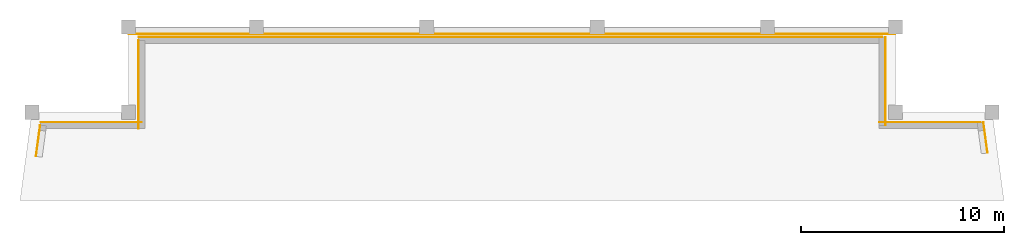
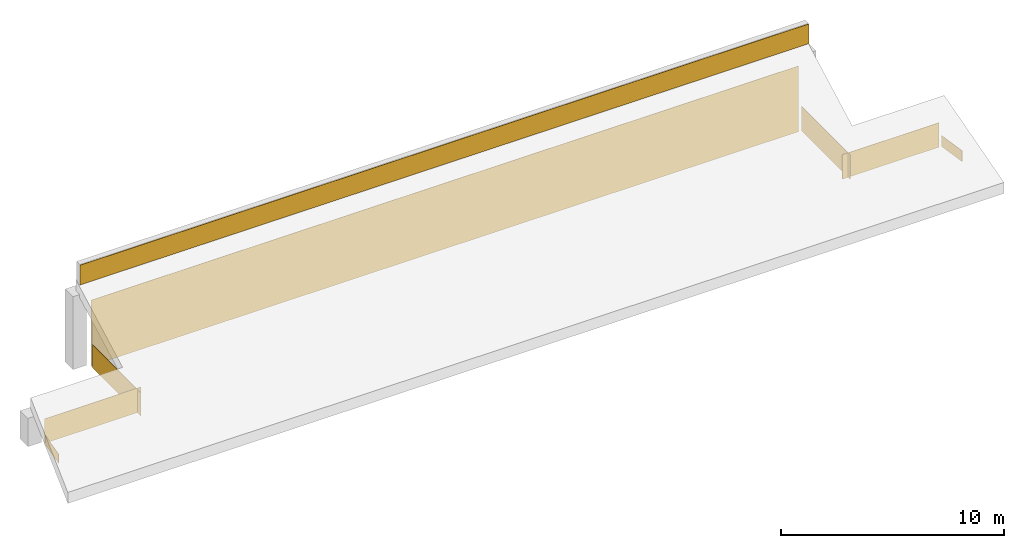
# One storey, part 2 of 2: 8 coverings.
"""IFC4 building model written with IfcOpenShell, lengths in metres."""

from ifc_helpers import new_model, si_unit, direction, frame, origin, origin_2d, place, context, subcontext, project, spatial, rectangle, extrude, material, layer, layer_set, type_object, element, save


model = new_model("IFC4")

# Units and contexts
model_context = context("Model", 3, precision=1e-05, world=origin(), true_north=direction((0.0, 1.0)))
body_context = subcontext(model_context, "Body", "Model", "MODEL_VIEW")
ifc_project = project(units=[si_unit("LENGTHUNIT", "METRE"), si_unit("AREAUNIT", "SQUARE_METRE"), si_unit("VOLUMEUNIT", "CUBIC_METRE"), si_unit("PLANEANGLEUNIT", "RADIAN"), si_unit("MASSUNIT", "GRAM", prefix="KILO")], contexts=[model_context])

# Site, building, storey
site_placement = place(None, origin())
site = spatial("IfcSite", under=ifc_project, at=site_placement, CompositionType="ELEMENT")
building_placement = place(site_placement, origin())
building = spatial("IfcBuilding", under=site, at=building_placement, Name="Candeia Pilgrim Tower and Theatre", CompositionType="ELEMENT")
storey_placement = place(building_placement, frame((0.0, 0.0, 332.39990234375)))
storey = spatial("IfcBuildingStorey", under=building, at=storey_placement, Name="L80", CompositionType="ELEMENT", Elevation=332.39990234375)

# Coverings
ifc_material = material(Name="Glazed ceramic tile bottle green")
ifc_layer = layer(ifc_material, 0.02001953125)
ifc_layer_set = layer_set([ifc_layer], Name="Glazed ceramic tile bottle green")
covering_type = type_object("IfcCoveringType", Name="Glazed ceramic tile bottle green", PredefinedType="CLADDING", material=ifc_layer_set)
covering_1_placement = place(storey_placement, frame((90.04052734375, 139.198974609375, 0.0), z_axis=(0.0, 0.0, 1.0), x_axis=(-0.133412012145, -0.991060661622, 0.0)))
element("IfcCovering", 1, at=covering_1_placement, inside=storey, type_object=covering_type, Name="Tile cladding bottle green L80", PredefinedType="CLADDING", context=body_context, shape_type="SweptSolid", body=[
    extrude(rectangle(XDim=1.558837890625, YDim=0.02001953125, at=origin_2d()), origin(), (0.0, 0.0, 1.0), 0.50830078125),
])
covering_2_placement = place(storey_placement, frame((136.7392578125, 139.348876953125, 0.0), z_axis=(0.0, 0.0, 1.0), x_axis=(-0.133412012145, 0.991060661622, 0.0)))
element("IfcCovering", 2, at=covering_2_placement, inside=storey, type_object=covering_type, Name="Tile cladding bottle green L80", PredefinedType="CLADDING", context=body_context, shape_type="SweptSolid", body=[
    extrude(rectangle(XDim=1.518310546875, YDim=0.02001953125, at=origin_2d()), origin(), (0.0, 0.0, 1.0), 0.599853515625),
])
covering_3_placement = place(storey_placement, frame((133.99853515625, 140.110107421875, 0.0), z_axis=(0.0, 0.0, 1.0), x_axis=(-1.0, 0.0, 0.0)))
element("IfcCovering", 3, at=covering_3_placement, inside=storey, type_object=covering_type, Name="Tile cladding bottle green L80", PredefinedType="CLADDING", context=body_context, shape_type="SweptSolid", body=[
    extrude(rectangle(XDim=4.9970703125, YDim=0.02001953125, at=origin_2d()), origin(), (0.0, 0.0, 1.0), 1.33984375),
])
covering_4_placement = place(storey_placement, frame((131.81005859375, 142.125, 0.0), z_axis=(0.0, 0.0, 1.0), x_axis=(0.0, 1.0, 0.0)))
element("IfcCovering", 4, at=covering_4_placement, inside=storey, type_object=covering_type, Name="Tile cladding bottle green L80", PredefinedType="CLADDING", context=body_context, shape_type="SweptSolid", body=[
    extrude(rectangle(XDim=4.35009765625, YDim=0.02001953125, at=origin_2d()), origin(), (0.0, 0.0, 1.0), 1.33984375),
])
covering_5_placement = place(storey_placement, frame((113.324951171875, 144.31005859375, 0.000244140625), z_axis=(0.0, 0.0, 1.0), x_axis=(-1.0, 0.0, 0.0)))
element("IfcCovering", 5, at=covering_5_placement, inside=storey, type_object=covering_type, Name="Tile cladding bottle green L80", PredefinedType="CLADDING", context=body_context, shape_type="SweptSolid", body=[
    extrude(rectangle(XDim=36.64990234375, YDim=0.02001953125, at=origin_2d()), origin(), (0.0, 0.0, 1.0), 3.60009765625),
])
covering_6_placement = place(storey_placement, frame((94.989990234375, 141.97509765625, 0.0), z_axis=(0.0, 0.0, 1.0), x_axis=(0.0, -1.0, 0.0)))
element("IfcCovering", 6, at=covering_6_placement, inside=storey, type_object=covering_type, Name="Tile cladding bottle green L80", PredefinedType="CLADDING", context=body_context, shape_type="SweptSolid", body=[
    extrude(rectangle(XDim=4.35009765625, YDim=0.02001953125, at=origin_2d()), origin(), (0.0, 0.0, 1.0), 1.259033203125),
])
covering_7_placement = place(storey_placement, frame((92.660888671875, 140.110107421875, 0.0), z_axis=(0.0, 0.0, 1.0), x_axis=(-1.0, 0.0, 0.0)))
element("IfcCovering", 7, at=covering_7_placement, inside=storey, type_object=covering_type, Name="Tile cladding bottle green L80", PredefinedType="CLADDING", context=body_context, shape_type="SweptSolid", body=[
    extrude(rectangle(XDim=4.978271484375, YDim=0.02001953125, at=origin_2d()), origin(), (0.0, 0.0, 1.0), 1.33984375),
])
covering_8_placement = place(storey_placement, frame((113.39990234375, 144.469970703125, 4.508544921875), z_axis=(0.0, 0.0, 1.0), x_axis=(1.0, 0.0, 0.0)))
element("IfcCovering", 8, at=covering_8_placement, inside=storey, type_object=covering_type, Name="Crown parapet tile cladding", PredefinedType="CLADDING", context=body_context, shape_type="SweptSolid", body=[
    extrude(rectangle(XDim=37.760009765625, YDim=0.02001953125, at=origin_2d()), origin(), (0.0, 0.0, 1.0), 1.080078125),
])

save(model, "model.ifc")
